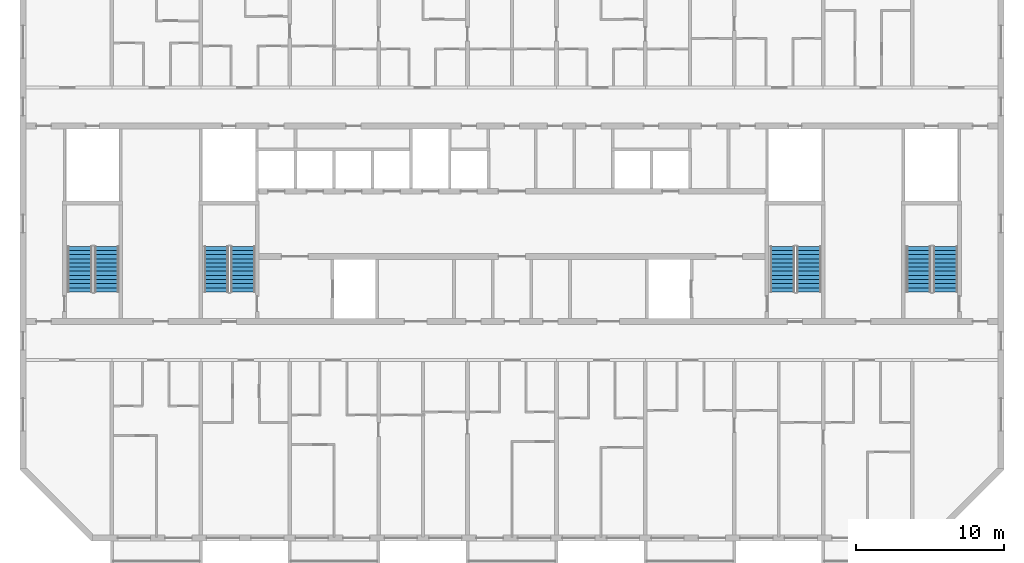
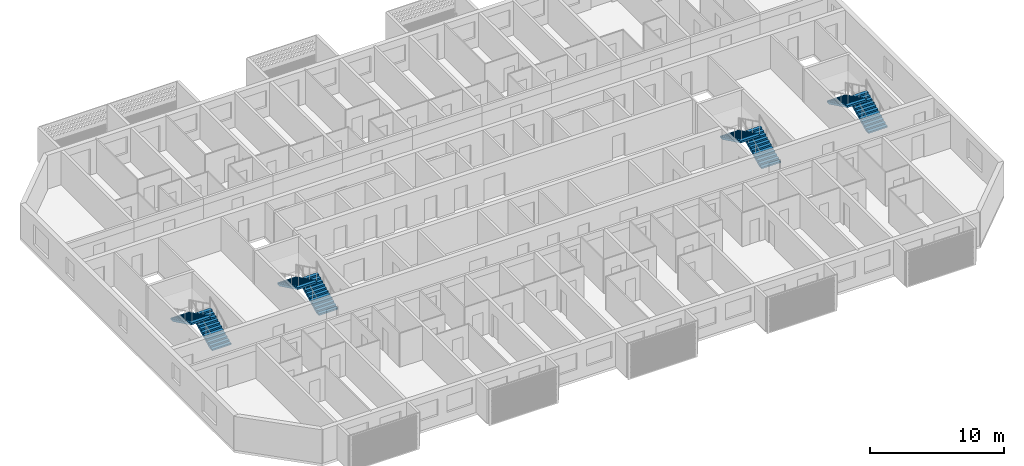
# One storey, part 12 of 27: 8 stair flights, 4 elements without a shape of their own.
"""IFC4 building model written with IfcOpenShell, lengths in metres."""

from ifc_helpers import new_model, si_unit, direction, frame, origin, place, context, subcontext, project, spatial, polyline, outline, extrude, material, layer, layer_set, type_object, element, aggregate, save


model = new_model("IFC4")

# Units and contexts
model_context = context("Model", 3, precision=1e-05, world=origin(), true_north=direction((0.0, 1.0)))
body_context = subcontext(model_context, "Body", "Model", "MODEL_VIEW")
ifc_project = project(units=[si_unit("LENGTHUNIT", "METRE"), si_unit("AREAUNIT", "SQUARE_METRE"), si_unit("VOLUMEUNIT", "CUBIC_METRE"), si_unit("PLANEANGLEUNIT", "RADIAN"), si_unit("MASSUNIT", "GRAM", prefix="KILO")], contexts=[model_context])

# Site, building, storey
site_placement = place(None, origin())
site = spatial("IfcSite", under=ifc_project, at=site_placement, CompositionType="ELEMENT")
building_placement = place(site_placement, origin())
building = spatial("IfcBuilding", under=site, at=building_placement, Name="Poui Terraces", CompositionType="ELEMENT")
storey_placement = place(building_placement, frame((0.0, 0.0, 191.699951171875)))
storey = spatial("IfcBuildingStorey", under=building, at=storey_placement, Name="L53", CompositionType="ELEMENT", Elevation=191.699951171875)

# Stair, stair flights
ifc_material = material(Name="Concrete 50 MPa", Category="concrete")
stair_type = type_object("IfcStairType", Name="EXIT STAIR 1650 50 MPA", PredefinedType="HALF_TURN_STAIR", material=ifc_material)
stair_1_placement = place(storey_placement, origin())
stair_1 = element("IfcStair", 1, at=stair_1_placement, inside=storey, type_object=stair_type, Name="L53 CORE STAIR EAST", PredefinedType="HALF_TURN_STAIR")
ifc_layer = layer(ifc_material, 0.14990234375)
ifc_layer_set = layer_set([ifc_layer], Name="Concrete 50 MPa")
stair_flight_type = type_object("IfcStairFlightType", Name="STAIR FLIGHT 12 RISERS 138 RISE 50 MPA", PredefinedType="STRAIGHT", material=ifc_layer_set)
stair_flight_1_placement = place(storey_placement, frame((71.050048828125, 16.60009765625, 0.0), z_axis=(0.0, 0.0, 1.0), x_axis=(0.0, 1.0, 0.0)))
stair_flight_1 = element("IfcStairFlight", 2, at=stair_flight_1_placement, type_object=stair_flight_type, Name="ST-CE flight 1", NumberOfRisers=12, NumberOfTreads=11, PredefinedType="STRAIGHT", RiserHeight=0.1375, TreadLength=0.28, context=body_context, shape_type="SweptSolid", body=[
    extrude(outline(polyline([(0.0, 0.0), (0.0, 0.137451171875), (0.280029296875, 0.137451171875), (0.280029296875, 0.27490234375), (0.56005859375, 0.27490234375), (0.56005859375, 0.41259765625), (0.840087890625, 0.41259765625), (0.840087890625, 0.550048828125), (1.1201171875, 0.550048828125), (1.1201171875, 0.6875), (1.39990234375, 0.6875), (1.39990234375, 0.824951171875), (1.679931640625, 0.824951171875), (1.679931640625, 0.96240234375), (1.9599609375, 0.96240234375), (1.9599609375, 1.10009765625), (2.239990234375, 1.10009765625), (2.239990234375, 1.237548828125), (2.52001953125, 1.237548828125), (2.52001953125, 1.375), (2.800048828125, 1.375), (2.800048828125, 1.512451171875), (3.080078125, 1.512451171875), (3.080078125, 1.64990234375), (3.080078125, 1.345458984375), (0.340087890625, 0.0), (0.0, 0.0)])), frame((0.0, 0.824951171875, 0.0), z_axis=(0.0, -1.0, 0.0), x_axis=(1.0, 0.0, 0.0)), (0.0, 0.0, 1.0), 1.64990234375),
])
stair_flight_2_placement = place(storey_placement, frame((69.25, 19.679931640625, 1.650146484375), z_axis=(0.0, 0.0, 1.0), x_axis=(0.0, -1.0, 0.0)))
stair_flight_2 = element("IfcStairFlight", 3, at=stair_flight_2_placement, type_object=stair_flight_type, Name="ST-CE flight 2", NumberOfRisers=12, NumberOfTreads=11, PredefinedType="STRAIGHT", RiserHeight=0.1375, TreadLength=0.28, context=body_context, shape_type="SweptSolid", body=[
    extrude(outline(polyline([(0.0, 0.0), (0.0, 0.137451171875), (0.280029296875, 0.137451171875), (0.280029296875, 0.27490234375), (0.56005859375, 0.27490234375), (0.56005859375, 0.41259765625), (0.840087890625, 0.41259765625), (0.840087890625, 0.550048828125), (1.1201171875, 0.550048828125), (1.1201171875, 0.6875), (1.39990234375, 0.6875), (1.39990234375, 0.824951171875), (1.679931640625, 0.824951171875), (1.679931640625, 0.96240234375), (1.9599609375, 0.96240234375), (1.9599609375, 1.10009765625), (2.239990234375, 1.10009765625), (2.239990234375, 1.237548828125), (2.52001953125, 1.237548828125), (2.52001953125, 1.375), (2.800048828125, 1.375), (2.800048828125, 1.512451171875), (3.080078125, 1.512451171875), (3.080078125, 1.64990234375), (3.080078125, 1.345458984375), (0.340087890625, 0.0), (0.0, 0.0)])), frame((0.0, 0.824951171875, 0.0), z_axis=(0.0, -1.0, 0.0), x_axis=(1.0, 0.0, 0.0)), (0.0, 0.0, 1.0), 1.64990234375),
])
aggregate(stair_1, [stair_flight_1, stair_flight_2])

stair_2_placement = place(storey_placement, origin())
stair_2 = element("IfcStair", 4, at=stair_2_placement, inside=storey, type_object=stair_type, Name="L53 CORE STAIR WEST", PredefinedType="HALF_TURN_STAIR")
stair_flight_3_placement = place(storey_placement, frame((32.85009765625, 16.60009765625, 0.0), z_axis=(0.0, 0.0, 1.0), x_axis=(0.0, 1.0, 0.0)))
stair_flight_3 = element("IfcStairFlight", 5, at=stair_flight_3_placement, type_object=stair_flight_type, Name="ST-CW flight 1", NumberOfRisers=12, NumberOfTreads=11, PredefinedType="STRAIGHT", RiserHeight=0.1375, TreadLength=0.28, context=body_context, shape_type="SweptSolid", body=[
    extrude(outline(polyline([(0.0, 0.0), (0.0, 0.137451171875), (0.280029296875, 0.137451171875), (0.280029296875, 0.27490234375), (0.56005859375, 0.27490234375), (0.56005859375, 0.41259765625), (0.840087890625, 0.41259765625), (0.840087890625, 0.550048828125), (1.1201171875, 0.550048828125), (1.1201171875, 0.6875), (1.39990234375, 0.6875), (1.39990234375, 0.824951171875), (1.679931640625, 0.824951171875), (1.679931640625, 0.96240234375), (1.9599609375, 0.96240234375), (1.9599609375, 1.10009765625), (2.239990234375, 1.10009765625), (2.239990234375, 1.237548828125), (2.52001953125, 1.237548828125), (2.52001953125, 1.375), (2.800048828125, 1.375), (2.800048828125, 1.512451171875), (3.080078125, 1.512451171875), (3.080078125, 1.64990234375), (3.080078125, 1.345458984375), (0.340087890625, 0.0), (0.0, 0.0)])), frame((0.0, 0.824951171875, 0.0), z_axis=(0.0, -1.0, 0.0), x_axis=(1.0, 0.0, 0.0)), (0.0, 0.0, 1.0), 1.64990234375),
])
stair_flight_4_placement = place(storey_placement, frame((31.050048828125, 19.679931640625, 1.650146484375), z_axis=(0.0, 0.0, 1.0), x_axis=(0.0, -1.0, 0.0)))
stair_flight_4 = element("IfcStairFlight", 6, at=stair_flight_4_placement, type_object=stair_flight_type, Name="ST-CW flight 2", NumberOfRisers=12, NumberOfTreads=11, PredefinedType="STRAIGHT", RiserHeight=0.1375, TreadLength=0.28, context=body_context, shape_type="SweptSolid", body=[
    extrude(outline(polyline([(0.0, 0.0), (0.0, 0.137451171875), (0.280029296875, 0.137451171875), (0.280029296875, 0.27490234375), (0.56005859375, 0.27490234375), (0.56005859375, 0.41259765625), (0.840087890625, 0.41259765625), (0.840087890625, 0.550048828125), (1.1201171875, 0.550048828125), (1.1201171875, 0.6875), (1.39990234375, 0.6875), (1.39990234375, 0.824951171875), (1.679931640625, 0.824951171875), (1.679931640625, 0.96240234375), (1.9599609375, 0.96240234375), (1.9599609375, 1.10009765625), (2.239990234375, 1.10009765625), (2.239990234375, 1.237548828125), (2.52001953125, 1.237548828125), (2.52001953125, 1.375), (2.800048828125, 1.375), (2.800048828125, 1.512451171875), (3.080078125, 1.512451171875), (3.080078125, 1.64990234375), (3.080078125, 1.345458984375), (0.340087890625, 0.0), (0.0, 0.0)])), frame((0.0, 0.824951171875, 0.0), z_axis=(0.0, -1.0, 0.0), x_axis=(1.0, 0.0, 0.0)), (0.0, 0.0, 1.0), 1.64990234375),
])
aggregate(stair_2, [stair_flight_3, stair_flight_4])

stair_3_placement = place(storey_placement, origin())
stair_3 = element("IfcStair", 7, at=stair_3_placement, inside=storey, type_object=stair_type, Name="L53 TIP STAIR EAST", PredefinedType="HALF_TURN_STAIR")
stair_flight_5_placement = place(storey_placement, frame((80.25, 16.60009765625, 0.0), z_axis=(0.0, 0.0, 1.0), x_axis=(0.0, 1.0, 0.0)))
stair_flight_5 = element("IfcStairFlight", 8, at=stair_flight_5_placement, type_object=stair_flight_type, Name="ST-E flight 1", NumberOfRisers=12, NumberOfTreads=11, PredefinedType="STRAIGHT", RiserHeight=0.1375, TreadLength=0.28, context=body_context, shape_type="SweptSolid", body=[
    extrude(outline(polyline([(0.0, 0.0), (0.0, 0.137451171875), (0.280029296875, 0.137451171875), (0.280029296875, 0.27490234375), (0.56005859375, 0.27490234375), (0.56005859375, 0.41259765625), (0.840087890625, 0.41259765625), (0.840087890625, 0.550048828125), (1.1201171875, 0.550048828125), (1.1201171875, 0.6875), (1.39990234375, 0.6875), (1.39990234375, 0.824951171875), (1.679931640625, 0.824951171875), (1.679931640625, 0.96240234375), (1.9599609375, 0.96240234375), (1.9599609375, 1.10009765625), (2.239990234375, 1.10009765625), (2.239990234375, 1.237548828125), (2.52001953125, 1.237548828125), (2.52001953125, 1.375), (2.800048828125, 1.375), (2.800048828125, 1.512451171875), (3.080078125, 1.512451171875), (3.080078125, 1.64990234375), (3.080078125, 1.345458984375), (0.340087890625, 0.0), (0.0, 0.0)])), frame((0.0, 0.824951171875, 0.0), z_axis=(0.0, -1.0, 0.0), x_axis=(1.0, 0.0, 0.0)), (0.0, 0.0, 1.0), 1.64990234375),
])
stair_flight_6_placement = place(storey_placement, frame((78.449951171875, 19.679931640625, 1.650146484375), z_axis=(0.0, 0.0, 1.0), x_axis=(0.0, -1.0, 0.0)))
stair_flight_6 = element("IfcStairFlight", 9, at=stair_flight_6_placement, type_object=stair_flight_type, Name="ST-E flight 2", NumberOfRisers=12, NumberOfTreads=11, PredefinedType="STRAIGHT", RiserHeight=0.1375, TreadLength=0.28, context=body_context, shape_type="SweptSolid", body=[
    extrude(outline(polyline([(0.0, 0.0), (0.0, 0.137451171875), (0.280029296875, 0.137451171875), (0.280029296875, 0.27490234375), (0.56005859375, 0.27490234375), (0.56005859375, 0.41259765625), (0.840087890625, 0.41259765625), (0.840087890625, 0.550048828125), (1.1201171875, 0.550048828125), (1.1201171875, 0.6875), (1.39990234375, 0.6875), (1.39990234375, 0.824951171875), (1.679931640625, 0.824951171875), (1.679931640625, 0.96240234375), (1.9599609375, 0.96240234375), (1.9599609375, 1.10009765625), (2.239990234375, 1.10009765625), (2.239990234375, 1.237548828125), (2.52001953125, 1.237548828125), (2.52001953125, 1.375), (2.800048828125, 1.375), (2.800048828125, 1.512451171875), (3.080078125, 1.512451171875), (3.080078125, 1.64990234375), (3.080078125, 1.345458984375), (0.340087890625, 0.0), (0.0, 0.0)])), frame((0.0, 0.824951171875, 0.0), z_axis=(0.0, -1.0, 0.0), x_axis=(1.0, 0.0, 0.0)), (0.0, 0.0, 1.0), 1.64990234375),
])
aggregate(stair_3, [stair_flight_5, stair_flight_6])

stair_4_placement = place(storey_placement, origin())
stair_4 = element("IfcStair", 10, at=stair_4_placement, inside=storey, type_object=stair_type, Name="L53 TIP STAIR WEST", PredefinedType="HALF_TURN_STAIR")
stair_flight_7_placement = place(storey_placement, frame((23.64990234375, 16.60009765625, 0.0), z_axis=(0.0, 0.0, 1.0), x_axis=(0.0, 1.0, 0.0)))
stair_flight_7 = element("IfcStairFlight", 11, at=stair_flight_7_placement, type_object=stair_flight_type, Name="ST-W flight 1", NumberOfRisers=12, NumberOfTreads=11, PredefinedType="STRAIGHT", RiserHeight=0.1375, TreadLength=0.28, context=body_context, shape_type="SweptSolid", body=[
    extrude(outline(polyline([(0.0, 0.0), (0.0, 0.137451171875), (0.280029296875, 0.137451171875), (0.280029296875, 0.27490234375), (0.56005859375, 0.27490234375), (0.56005859375, 0.41259765625), (0.840087890625, 0.41259765625), (0.840087890625, 0.550048828125), (1.1201171875, 0.550048828125), (1.1201171875, 0.6875), (1.39990234375, 0.6875), (1.39990234375, 0.824951171875), (1.679931640625, 0.824951171875), (1.679931640625, 0.96240234375), (1.9599609375, 0.96240234375), (1.9599609375, 1.10009765625), (2.239990234375, 1.10009765625), (2.239990234375, 1.237548828125), (2.52001953125, 1.237548828125), (2.52001953125, 1.375), (2.800048828125, 1.375), (2.800048828125, 1.512451171875), (3.080078125, 1.512451171875), (3.080078125, 1.64990234375), (3.080078125, 1.345458984375), (0.340087890625, 0.0), (0.0, 0.0)])), frame((0.0, 0.824951171875, 0.0), z_axis=(0.0, -1.0, 0.0), x_axis=(1.0, 0.0, 0.0)), (0.0, 0.0, 1.0), 1.64990234375),
])
stair_flight_8_placement = place(storey_placement, frame((21.85009765625, 19.679931640625, 1.650146484375), z_axis=(0.0, 0.0, 1.0), x_axis=(0.0, -1.0, 0.0)))
stair_flight_8 = element("IfcStairFlight", 12, at=stair_flight_8_placement, type_object=stair_flight_type, Name="ST-W flight 2", NumberOfRisers=12, NumberOfTreads=11, PredefinedType="STRAIGHT", RiserHeight=0.1375, TreadLength=0.28, context=body_context, shape_type="SweptSolid", body=[
    extrude(outline(polyline([(0.0, 0.0), (0.0, 0.137451171875), (0.280029296875, 0.137451171875), (0.280029296875, 0.27490234375), (0.56005859375, 0.27490234375), (0.56005859375, 0.41259765625), (0.840087890625, 0.41259765625), (0.840087890625, 0.550048828125), (1.1201171875, 0.550048828125), (1.1201171875, 0.6875), (1.39990234375, 0.6875), (1.39990234375, 0.824951171875), (1.679931640625, 0.824951171875), (1.679931640625, 0.96240234375), (1.9599609375, 0.96240234375), (1.9599609375, 1.10009765625), (2.239990234375, 1.10009765625), (2.239990234375, 1.237548828125), (2.52001953125, 1.237548828125), (2.52001953125, 1.375), (2.800048828125, 1.375), (2.800048828125, 1.512451171875), (3.080078125, 1.512451171875), (3.080078125, 1.64990234375), (3.080078125, 1.345458984375), (0.340087890625, 0.0), (0.0, 0.0)])), frame((0.0, 0.824951171875, 0.0), z_axis=(0.0, -1.0, 0.0), x_axis=(1.0, 0.0, 0.0)), (0.0, 0.0, 1.0), 1.64990234375),
])
aggregate(stair_4, [stair_flight_7, stair_flight_8])

save(model, "model.ifc")
